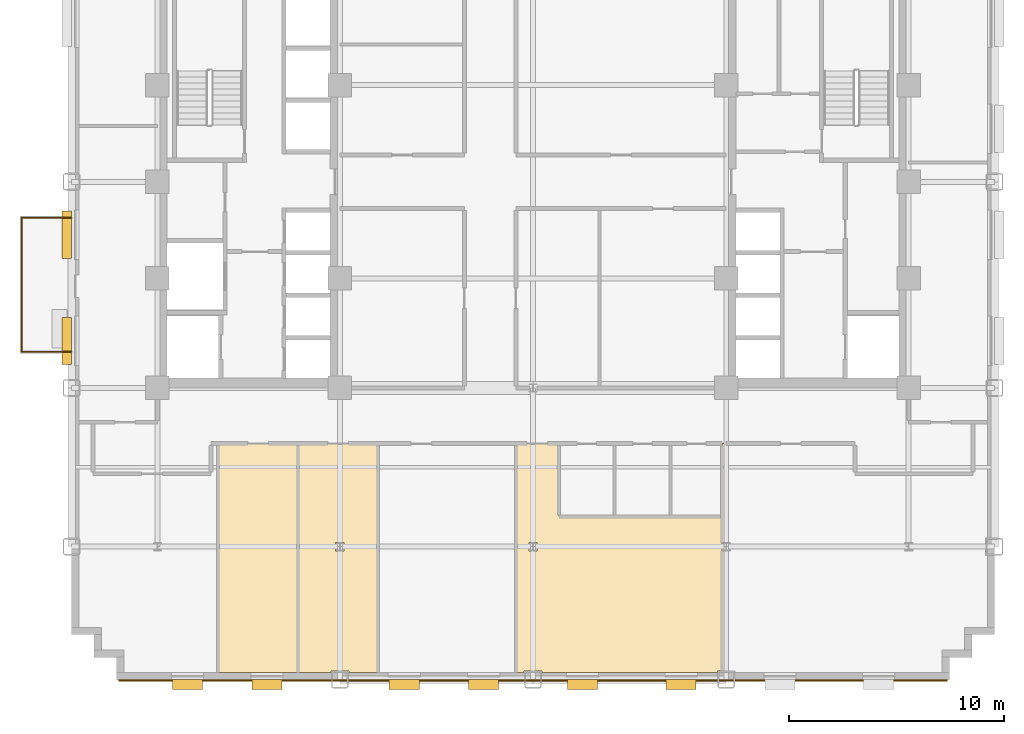
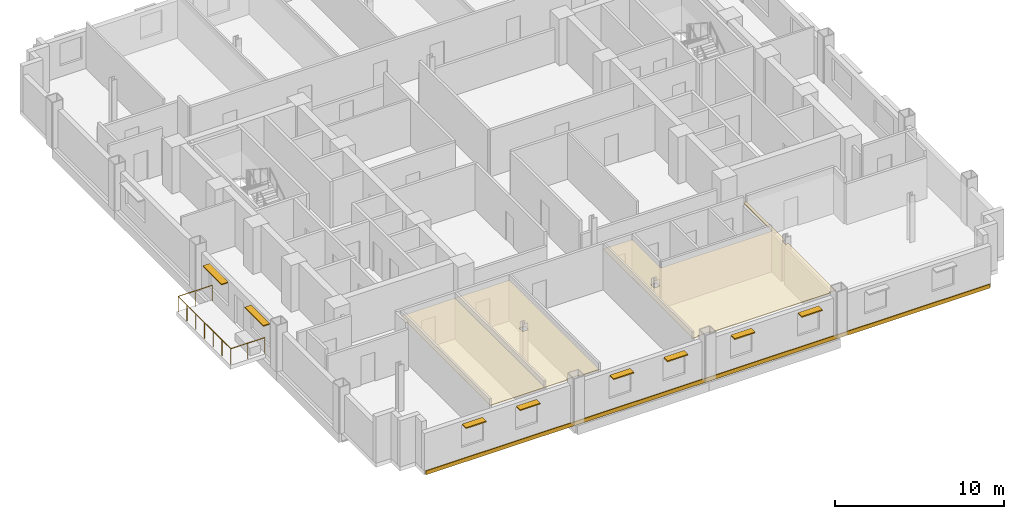
# One storey, part 11 of 14: 8 shading devices, 4 coverings, 1 railing.
"""IFC4 building model written with IfcOpenShell, lengths in metres."""

from ifc_helpers import new_model, si_unit, direction, frame, origin, origin_2d, place, context, subcontext, project, spatial, polyline, rectangle, circle, outline, extrude, source, transform, mapped, material, layer, layer_set, type_object, type_shapes, element, save


model = new_model("IFC4")

# Units and contexts
model_context = context("Model", 3, precision=1e-05, world=origin(), true_north=direction((0.0, 1.0)))
body_context = subcontext(model_context, "Body", "Model", "MODEL_VIEW")
ifc_project = project(units=[si_unit("LENGTHUNIT", "METRE"), si_unit("AREAUNIT", "SQUARE_METRE"), si_unit("VOLUMEUNIT", "CUBIC_METRE"), si_unit("PLANEANGLEUNIT", "RADIAN"), si_unit("MASSUNIT", "GRAM", prefix="KILO")], contexts=[model_context])

# Site, building, storey
site_placement = place(None, origin())
site = spatial("IfcSite", under=ifc_project, at=site_placement, CompositionType="ELEMENT")
building_placement = place(site_placement, origin())
building = spatial("IfcBuilding", under=site, at=building_placement, Name="Nuvemarco Arch Tower", CompositionType="ELEMENT")
storey_placement = place(building_placement, frame((0.0, 0.0, 60.449951171875)))
storey = spatial("IfcBuildingStorey", under=building, at=storey_placement, Name="L15", CompositionType="ELEMENT", Elevation=60.449951171875)

# Coverings
ifc_material_1 = material(Name="Mineral acoustic ceiling tile")
ifc_layer_1 = layer(ifc_material_1, 0.0400390625, Name="COV-ACOUSTIC-CLG")
ifc_layer_set_1 = layer_set([ifc_layer_1], Name="Mineral acoustic ceiling tile")
covering_type_1 = type_object("IfcCoveringType", Name="COV-ACOUSTIC-CLG", PredefinedType="CEILING", material=ifc_layer_set_1)
covering_1_placement = place(storey_placement, frame((0.0, 0.0, 2.85009765625)))
element("IfcCovering", 1, at=covering_1_placement, inside=storey, type_object=covering_type_1, Name="L15 suspended acoustic ceiling 2", PredefinedType="CEILING", context=body_context, shape_type="SweptSolid", body=[
    extrude(outline(polyline([(3.800048828125, -15.60009765625), (6.39990234375, -15.60009765625), (8.800048828125, -15.60009765625), (8.800048828125, -12.199951171875), (9.0, -12.199951171875), (9.0, -16.804931640625), (8.804931640625, -16.804931640625), (8.804931640625, -17.195068359375), (9.0, -17.195068359375), (9.0, -22.784912109375), (8.5849609375, -22.784912109375), (8.5849609375, -22.860107421875), (0.4150390625, -22.860107421875), (0.4150390625, -22.784912109375), (-0.4150390625, -22.784912109375), (-0.4150390625, -22.860107421875), (-0.800048828125, -22.860107421875), (-0.800048828125, -12.199951171875), (1.199951171875, -12.199951171875), (1.199951171875, -15.60009765625), (3.800048828125, -15.60009765625)]), holes=[polyline([(0.195068359375, -17.195068359375), (0.195068359375, -16.804931640625), (-0.195068359375, -16.804931640625), (-0.195068359375, -17.195068359375), (0.195068359375, -17.195068359375)])]), origin(), (0.0, 0.0, 1.0), 0.0400390625),
])
covering_2_placement = place(storey_placement, frame((0.0, 0.0, 2.85009765625)))
element("IfcCovering", 2, at=covering_2_placement, inside=storey, type_object=covering_type_1, Name="L15 suspended acoustic ceiling 8", PredefinedType="CEILING", context=body_context, shape_type="SweptSolid", body=[
    extrude(outline(polyline([(-14.669921875, -22.860107421875), (-14.669921875, -12.199951171875), (-10.93994140625, -12.199951171875), (-10.93994140625, -22.860107421875), (-14.669921875, -22.860107421875)])), origin(), (0.0, 0.0, 1.0), 0.0400390625),
])
covering_3_placement = place(storey_placement, frame((0.0, 0.0, 2.85009765625)))
element("IfcCovering", 3, at=covering_3_placement, inside=storey, type_object=covering_type_1, Name="L15 suspended acoustic ceiling 9", PredefinedType="CEILING", context=body_context, shape_type="SweptSolid", body=[
    extrude(outline(polyline([(-8.5849609375, -22.860107421875), (-8.5849609375, -22.784912109375), (-9.4150390625, -22.784912109375), (-9.4150390625, -22.860107421875), (-10.93994140625, -22.860107421875), (-10.93994140625, -12.199951171875), (-7.219970703125, -12.199951171875), (-7.219970703125, -22.860107421875), (-8.5849609375, -22.860107421875)]), holes=[polyline([(-8.804931640625, -17.195068359375), (-8.804931640625, -16.804931640625), (-9.195068359375, -16.804931640625), (-9.195068359375, -17.195068359375), (-8.804931640625, -17.195068359375)])]), origin(), (0.0, 0.0, 1.0), 0.0400390625),
])

# Railing
ifc_material_2 = material(Name="Dark anodised balustrade steel S355", Category="steel")
railing_type = type_object("IfcRailingType", Name="RL-TERR-GUARD", PredefinedType="BALUSTRADE", material=ifc_material_2)
railing_placement = place(storey_placement, frame((-21.5, -7.919921875, 0.0)))
element("IfcRailing", 4, at=railing_placement, inside=storey, type_object=railing_type, Name="L15 spiral terrace perimeter balustrade guard", PredefinedType="BALUSTRADE", context=body_context, shape_type="SweptSolid", body=[
    extrude(circle(Radius=0.02392578125, at=origin_2d()), frame((0.0, 0.0, 1.1259765625), z_axis=(-1.0, 0.0, 0.0), x_axis=(0.0, -1.0, 0.0)), (0.0, 0.0, 1.0), 2.320068359375),
    extrude(circle(Radius=0.02392578125, at=origin_2d()), frame((-2.320068359375, 0.0, 1.1259765625), z_axis=(0.0, 1.0, 0.0), x_axis=(-1.0, 0.0, 0.0)), (0.0, 0.0, 1.0), 6.239990234375),
    extrude(circle(Radius=0.02392578125, at=origin_2d()), frame((-2.320068359375, 6.239990234375, 1.1259765625), z_axis=(1.0, 0.0, 0.0), x_axis=(0.0, 1.0, 0.0)), (0.0, 0.0, 1.0), 2.320068359375),
    extrude(circle(Radius=0.02099609375, at=origin_2d()), origin(), (0.0, 0.0, 1.0), 1.101806640625),
    extrude(circle(Radius=0.02099609375, at=origin_2d()), frame((-1.16015625, 0.0, 0.0)), (0.0, 0.0, 1.0), 1.101806640625),
    extrude(circle(Radius=0.02099609375, at=origin_2d()), frame((-2.320068359375, 0.0, 0.0)), (0.0, 0.0, 1.0), 1.101806640625),
    extrude(circle(Radius=0.02099609375, at=origin_2d()), frame((-2.320068359375, 1.0400390625, 0.0)), (0.0, 0.0, 1.0), 1.101806640625),
    extrude(circle(Radius=0.02099609375, at=origin_2d()), frame((-2.320068359375, 2.080078125, 0.0)), (0.0, 0.0, 1.0), 1.101806640625),
    extrude(circle(Radius=0.02099609375, at=origin_2d()), frame((-2.320068359375, 3.1201171875, 0.0)), (0.0, 0.0, 1.0), 1.101806640625),
    extrude(circle(Radius=0.02099609375, at=origin_2d()), frame((-2.320068359375, 4.159912109375, 0.0)), (0.0, 0.0, 1.0), 1.101806640625),
    extrude(circle(Radius=0.02099609375, at=origin_2d()), frame((-2.320068359375, 5.199951171875, 0.0)), (0.0, 0.0, 1.0), 1.101806640625),
    extrude(circle(Radius=0.02099609375, at=origin_2d()), frame((-2.320068359375, 6.239990234375, 0.0)), (0.0, 0.0, 1.0), 1.101806640625),
    extrude(circle(Radius=0.02099609375, at=origin_2d()), frame((-1.16015625, 6.239990234375, 0.0)), (0.0, 0.0, 1.0), 1.101806640625),
    extrude(circle(Radius=0.02099609375, at=origin_2d()), frame((0.0, 6.239990234375, 0.0)), (0.0, 0.0, 1.0), 1.101806640625),
])

# Shading devices
ifc_material_3 = material(Name="Anodised aluminium 6063-T6", Category="aluminium")
shading_device_type_1 = type_object("IfcShadingDeviceType", Name="SHD-BRISE-SOLEIL", PredefinedType="USERDEFINED", material=ifc_material_3)
shared_shape_1 = source(origin(), body_context, "Body", "SweptSolid", [
    extrude(rectangle(XDim=2.199951171875, YDim=0.449951171875, at=origin_2d()), origin(), (0.0, 0.0, 1.0), 0.080078125),
])
type_shapes(shading_device_type_1, [shared_shape_1])
for number, where, z_axis, x_axis, name in (
    (5, (-21.715087890625, -7.41162109375, 2.425048828125), (0.0, 0.0, 1.0), (0.0, 1.0, 0.0), "L15 horizontal brise-soleil sunshade"),
    (6, (-21.715087890625, -2.470458984375, 2.425048828125), (0.0, 0.0, 1.0), (0.0, 1.0, 0.0), "L15 horizontal brise-soleil sunshade"),
):
    element("IfcShadingDevice", number, at=place(storey_placement, frame(where, z_axis=z_axis, x_axis=x_axis)), inside=storey, type_object=shading_device_type_1, Name=name, ObjectType="SUNSHADE", PredefinedType="USERDEFINED", context=body_context, shape_type="MappedRepresentation", body=[
        mapped(shared_shape_1, transform((0.0, 0.0, 0.0), scale=1.0)),
    ])
shading_device_type_2 = type_object("IfcShadingDeviceType", Name="SHD-BRISE-NARROW", PredefinedType="USERDEFINED", material=ifc_material_3)
shared_shape_2 = source(origin(), body_context, "Body", "SweptSolid", [
    extrude(rectangle(XDim=1.39990234375, YDim=0.449951171875, at=origin_2d()), origin(), (0.0, 0.0, 1.0), 0.080078125),
])
type_shapes(shading_device_type_2, [shared_shape_2])
for number, where, z_axis, x_axis, name in (
    (7, (-16.10009765625, -23.4150390625, 2.405029296875), (0.0, 0.0, 1.0), (1.0, 0.0, 0.0), "L15 horizontal brise-soleil sunshade"),
    (8, (-12.39990234375, -23.4150390625, 2.405029296875), (0.0, 0.0, 1.0), (1.0, 0.0, 0.0), "L15 horizontal brise-soleil sunshade"),
    (9, (-6.0, -23.4150390625, 2.405029296875), (0.0, 0.0, 1.0), (1.0, 0.0, 0.0), "L15 horizontal brise-soleil sunshade"),
    (10, (-2.300048828125, -23.4150390625, 2.405029296875), (0.0, 0.0, 1.0), (1.0, 0.0, 0.0), "L15 horizontal brise-soleil sunshade"),
    (11, (2.300048828125, -23.4150390625, 2.405029296875), (0.0, 0.0, 1.0), (1.0, 0.0, 0.0), "L15 horizontal brise-soleil sunshade"),
    (12, (6.89990234375, -23.4150390625, 2.405029296875), (0.0, 0.0, 1.0), (1.0, 0.0, 0.0), "L15 horizontal brise-soleil sunshade"),
):
    element("IfcShadingDevice", number, at=place(storey_placement, frame(where, z_axis=z_axis, x_axis=x_axis)), inside=storey, type_object=shading_device_type_2, Name=name, ObjectType="SUNSHADE", PredefinedType="USERDEFINED", context=body_context, shape_type="MappedRepresentation", body=[
        mapped(shared_shape_2, transform((0.0, 0.0, 0.0), scale=1.0)),
    ])

# Covering
ifc_material_4 = material(Name="Precast concrete C45/55", Category="concrete")
ifc_layer_2 = layer(ifc_material_4, 0.06005859375, Name="COV-SPANDREL-CLAD")
ifc_layer_set_2 = layer_set([ifc_layer_2], Name="Precast concrete C45/55")
covering_type_2 = type_object("IfcCoveringType", Name="COV-SPANDREL-CLAD", PredefinedType="CLADDING", material=ifc_layer_set_2)
shared_shape_3 = source(origin(), body_context, "Body", "SweptSolid", [
    extrude(rectangle(XDim=38.60009765625, YDim=0.06005859375, at=origin_2d()), origin(), (0.0, 0.0, 1.0), 0.280029296875),
])
type_shapes(covering_type_2, [shared_shape_3])
covering_4_placement = place(storey_placement, frame((0.0, -23.22900390625, -0.27978515625), z_axis=(0.0, 0.0, 1.0), x_axis=(1.0, 0.0, 0.0)))
element("IfcCovering", 13, at=covering_4_placement, inside=storey, type_object=covering_type_2, Name="L15 precast spandrel edge cladding south", PredefinedType="CLADDING", context=body_context, shape_type="MappedRepresentation", body=[
    mapped(shared_shape_3, transform((0.0, 0.0, 0.0), scale=1.0)),
])

save(model, "model.ifc")
